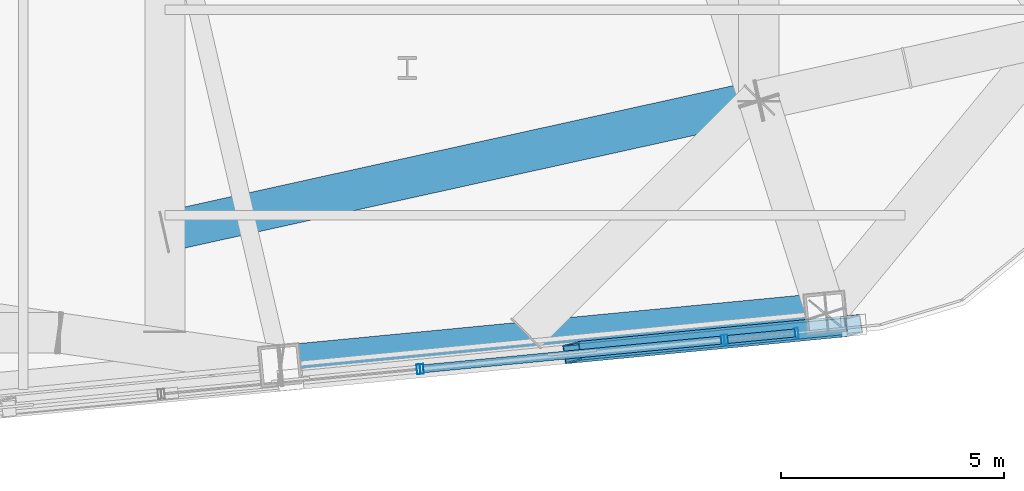
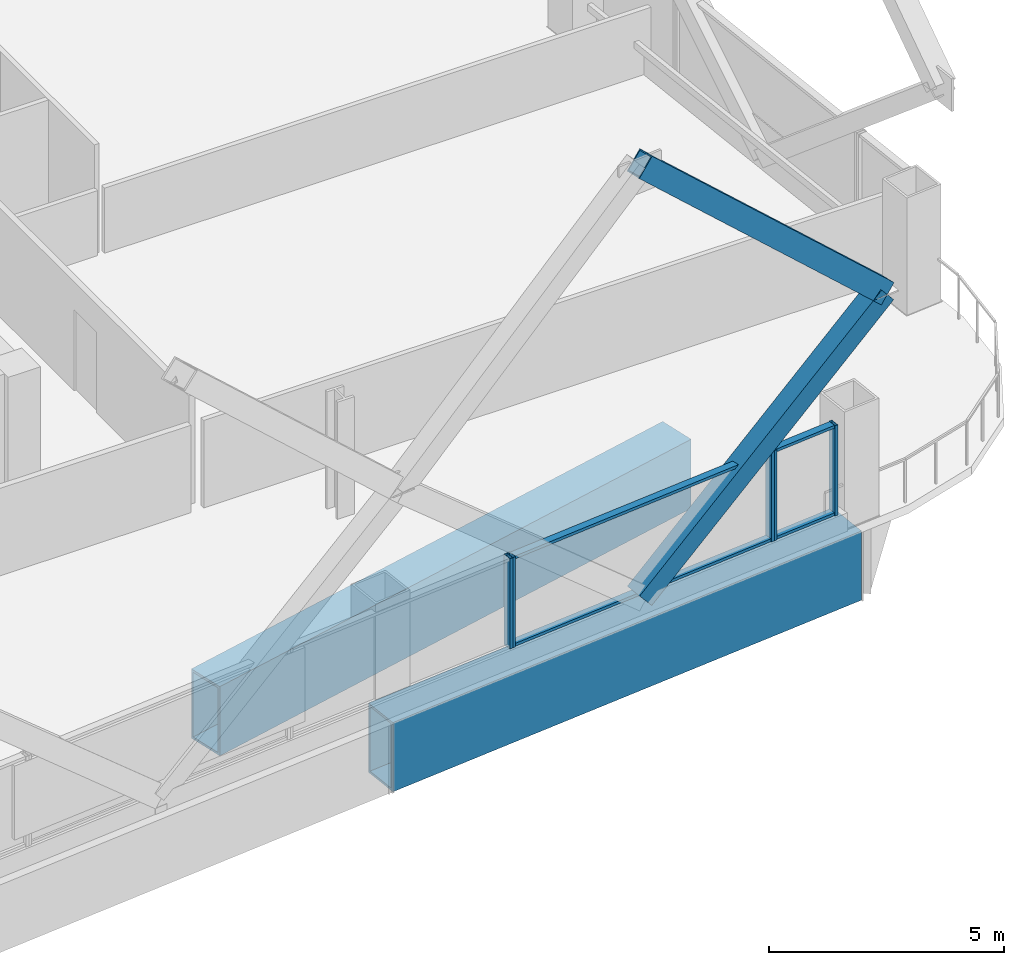
# One storey, part 16 of 42: 11 members, 2 beams, 3 elements without a shape of their own.
"""IFC4 building model written with IfcOpenShell, lengths in metres."""

from ifc_helpers import new_model, si_unit, direction, frame, origin, origin_2d, place, context, subcontext, project, spatial, hollow_rectangle, extrude, material, layer, layer_set, material_profile, profile_set, type_object, element, aggregate, save


model = new_model("IFC4")

# Units and contexts
model_context = context("Model", 3, precision=1e-05, world=origin(), true_north=direction((0.0, 1.0)))
body_context = subcontext(model_context, "Body", "Model", "MODEL_VIEW")
ifc_project = project(units=[si_unit("LENGTHUNIT", "METRE"), si_unit("AREAUNIT", "SQUARE_METRE"), si_unit("VOLUMEUNIT", "CUBIC_METRE"), si_unit("PLANEANGLEUNIT", "RADIAN"), si_unit("MASSUNIT", "GRAM", prefix="KILO")], contexts=[model_context])

# Site, building, storey
site_placement = place(None, origin())
site = spatial("IfcSite", under=ifc_project, at=site_placement, CompositionType="ELEMENT")
building_placement = place(site_placement, origin())
building = spatial("IfcBuilding", under=site, at=building_placement, Name="Qhalaya Broadcast Tower", CompositionType="ELEMENT")
storey_placement = place(building_placement, frame((0.0, 0.0, 69.449951171875)))
storey = spatial("IfcBuildingStorey", under=building, at=storey_placement, Name="L19", CompositionType="ELEMENT", Elevation=69.449951171875)

# Beams
ifc_material_1 = material(Name="Structural Steel ASTM A572 Grade 50", Category="steel")
ifc_material_profile_1 = material_profile(ifc_material_1, hollow_rectangle(XDim=0.89990234375, YDim=1.800048828125, WallThickness=0.06005859375, at=origin_2d()), Name="BOX 900x1800x60")
ifc_profile_set_1 = profile_set([ifc_material_profile_1], Name="Structural Steel ASTM A572 Grade 50")
beam_type = type_object("IfcBeamType", Name="Block Cantilever Transfer Box Girder TG1", PredefinedType="USERDEFINED", material=ifc_profile_set_1)
beam_1_placement = place(storey_placement, frame((11.955078125, -19.861083984375, -1.119873046875), z_axis=(0.995397535354, 0.095831866369, 0.0), x_axis=(-0.095831866369, 0.995397535354, 0.0)))
element("IfcBeam", 1, at=beam_1_placement, inside=storey, type_object=beam_type, Name="L19 TG1 L19-SPR-03", ObjectType="GIRDER", PredefinedType="USERDEFINED", context=body_context, shape_type="SweptSolid", body=[
    extrude(hollow_rectangle(XDim=0.89990234375, YDim=1.800048828125, WallThickness=0.06005859375, at=origin_2d()), origin(), (0.0, 0.0, 1.0), 12.2666015625),
])
beam_2_placement = place(storey_placement, frame((9.375, -16.8701171875, -1.119873046875), z_axis=(0.976408042301, 0.215933635475, 0.0), x_axis=(-0.215933635475, 0.976408042301, 0.0)))
element("IfcBeam", 2, at=beam_2_placement, inside=storey, type_object=beam_type, Name="L19 Collinear Back-Span Transfer Box Girder 05", ObjectType="GIRDER", PredefinedType="USERDEFINED", context=body_context, shape_type="SweptSolid", body=[
    extrude(hollow_rectangle(XDim=0.89990234375, YDim=1.800048828125, WallThickness=0.06005859375, at=origin_2d()), origin(), (0.0, 0.0, 1.0), 13.6162109375),
])

# Members
ifc_material_profile_2 = material_profile(ifc_material_1, hollow_rectangle(XDim=0.419921875, YDim=0.550048828125, WallThickness=0.028076171875, at=origin_2d()), Name="BOX 420x550x28")
ifc_profile_set_2 = profile_set([ifc_material_profile_2], Name="Structural Steel ASTM A572 Grade 50")
member_type_1 = type_object("IfcMemberType", Name="Exoskeleton Diamond Diagonal Mid-Low EX2", PredefinedType="BRACE", material=ifc_profile_set_2)
member_1_placement = place(storey_placement, frame((18.49072265625, -19.573486328125, 0.360107421875), z_axis=(0.758635580976, 0.073066636585, 0.647405067864), x_axis=(-0.157193441444, 0.984862499798, 0.073048466507)))
element("IfcMember", 3, at=member_1_placement, inside=storey, type_object=member_type_1, Name="B2 Exoskeleton Diamond Brace S3-D2", PredefinedType="BRACE", context=body_context, shape_type="SweptSolid", body=[
    extrude(hollow_rectangle(XDim=0.419921875, YDim=0.550048828125, WallThickness=0.028076171875, at=origin_2d()), origin(), (0.0, 0.0, 1.0), 8.309814453125),
])
member_2_placement = place(storey_placement, frame((24.794921875, -18.96630859375, 5.739990234375), z_axis=(-0.730618100613, -0.070368182799, 0.6791505797), x_axis=(0.160222099068, -0.984570800026, 0.070350683768)))
element("IfcMember", 4, at=member_2_placement, inside=storey, type_object=member_type_1, Name="B2 Exoskeleton Diamond Brace S3-D4", PredefinedType="BRACE", context=body_context, shape_type="SweptSolid", body=[
    extrude(hollow_rectangle(XDim=0.419921875, YDim=0.550048828125, WallThickness=0.028076171875, at=origin_2d()), origin(), (0.0, 0.0, 1.0), 8.628662109375),
])

# Curtain wall, member
ifc_material_2 = material(Name="Solar-Control Low-E Triple Glazing", Category="glass")
ifc_layer_1 = layer(ifc_material_2, 0.219970703125, Name="Solar-Control Low-E Triple Glazing")
ifc_layer_set_1 = layer_set([ifc_layer_1], Name="Solar-Control Low-E Triple Glazing")
curtain_wall_type_1 = type_object("IfcCurtainWallType", Name="Even-Block 4-Storey Double-Module Curtain Wall CW-03", PredefinedType="NOTDEFINED", material=ifc_layer_set_1)
curtain_wall_1_placement = place(storey_placement, origin())
curtain_wall_1 = element("IfcCurtainWall", 5, at=curtain_wall_1_placement, inside=storey, type_object=curtain_wall_type_1, Name="L19 Unitised Curtain Wall L19-CW-S5", PredefinedType="NOTDEFINED")
ifc_material_3 = material(Name="Anodised Aluminium 6063-T6", Category="aluminium")
ifc_material_profile_3 = material_profile(ifc_material_3, hollow_rectangle(XDim=0.074951171875, YDim=0.219970703125, WallThickness=0.00390625, at=origin_2d()), Name="ALU-MUL 75x220x4")
ifc_profile_set_3 = profile_set([ifc_material_profile_3], Name="Anodised Aluminium 6063-T6")
member_type_2 = type_object("IfcMemberType", Name="Unitised Curtain-Wall Mullion M01", PredefinedType="MULLION", material=ifc_profile_set_3)
member_3_placement = place(storey_placement, frame((15.05126953125, -19.94482421875, 0.47998046875), z_axis=(0.0, 0.0, 1.0), x_axis=(0.995396371729, 0.095843952075, 0.0)))
member_3 = element("IfcMember", 6, at=member_3_placement, type_object=member_type_2, Name="CW-03 mullion 2", PredefinedType="MULLION", context=body_context, shape_type="SweptSolid", body=[
    extrude(hollow_rectangle(XDim=0.074951171875, YDim=0.219970703125, WallThickness=0.00390625, at=origin_2d()), origin(), (0.0, 0.0, 1.0), 2.35009765625),
])
aggregate(curtain_wall_1, [member_3])

# Curtain wall, members
ifc_material_4 = material(Name="Fired Architectural Terracotta", Category="masonry")
ifc_layer_2 = layer(ifc_material_4, 0.219970703125, Name="Fired Architectural Terracotta")
ifc_layer_set_2 = layer_set([ifc_layer_2], Name="Fired Architectural Terracotta")
curtain_wall_type_2 = type_object("IfcCurtainWallType", Name="Block-Cap Unitised Terracotta Spandrel Wall CW-07", PredefinedType="NOTDEFINED", material=ifc_layer_set_2)
curtain_wall_2_placement = place(storey_placement, origin())
curtain_wall_2 = element("IfcCurtainWall", 7, at=curtain_wall_2_placement, inside=storey, type_object=curtain_wall_type_2, Name="L19 Unitised Curtain Wall L19-CW-S6", PredefinedType="NOTDEFINED")
member_4_placement = place(storey_placement, frame((15.1259765625, -19.9375, 0.47998046875), z_axis=(0.0, 0.0, 1.0), x_axis=(0.995395819861, 0.095849683373, 0.0)))
member_4 = element("IfcMember", 8, at=member_4_placement, type_object=member_type_2, Name="CW-07 mullion 1", PredefinedType="MULLION", context=body_context, shape_type="SweptSolid", body=[
    extrude(hollow_rectangle(XDim=0.074951171875, YDim=0.219970703125, WallThickness=0.00390625, at=origin_2d()), origin(), (0.0, 0.0, 1.0), 2.35009765625),
])
member_5_placement = place(storey_placement, frame((21.86279296875, -19.288818359375, 0.47998046875), z_axis=(0.0, 0.0, 1.0), x_axis=(0.995395819861, 0.095849683373, 0.0)))
member_5 = element("IfcMember", 9, at=member_5_placement, type_object=member_type_2, Name="CW-07 mullion 2", PredefinedType="MULLION", context=body_context, shape_type="SweptSolid", body=[
    extrude(hollow_rectangle(XDim=0.074951171875, YDim=0.219970703125, WallThickness=0.00390625, at=origin_2d()), origin(), (0.0, 0.0, 1.0), 2.35009765625),
])

curtain_wall_3_placement = place(storey_placement, origin())
curtain_wall_3 = element("IfcCurtainWall", 10, at=curtain_wall_3_placement, inside=storey, type_object=curtain_wall_type_1, Name="L19 Unitised Curtain Wall L19-CW-S7", PredefinedType="NOTDEFINED")
member_6_placement = place(storey_placement, frame((21.9375, -19.28173828125, 0.47998046875), z_axis=(0.0, 0.0, 1.0), x_axis=(0.995396232884, 0.095845394047, 0.0)))
member_6 = element("IfcMember", 11, at=member_6_placement, type_object=member_type_2, Name="CW-03 mullion 1", PredefinedType="MULLION", context=body_context, shape_type="SweptSolid", body=[
    extrude(hollow_rectangle(XDim=0.074951171875, YDim=0.219970703125, WallThickness=0.00390625, at=origin_2d()), origin(), (0.0, 0.0, 1.0), 2.35009765625),
])
member_7_placement = place(storey_placement, frame((23.517333984375, -19.129638671875, 0.47998046875), z_axis=(0.0, 0.0, 1.0), x_axis=(0.995396232884, 0.095845394047, 0.0)))
member_7 = element("IfcMember", 12, at=member_7_placement, type_object=member_type_2, Name="CW-03 mullion 2", PredefinedType="MULLION", context=body_context, shape_type="SweptSolid", body=[
    extrude(hollow_rectangle(XDim=0.074951171875, YDim=0.219970703125, WallThickness=0.00390625, at=origin_2d()), origin(), (0.0, 0.0, 1.0), 2.35009765625),
])

# Member
ifc_material_profile_4 = material_profile(ifc_material_3, hollow_rectangle(XDim=0.074951171875, YDim=0.179931640625, WallThickness=0.00390625, at=origin_2d()), Name="ALU-TRN 75x180x4")
ifc_profile_set_4 = profile_set([ifc_material_profile_4], Name="Anodised Aluminium 6063-T6")
member_type_3 = type_object("IfcMemberType", Name="Unitised Curtain-Wall Transom T01", PredefinedType="USERDEFINED", material=ifc_profile_set_4)
member_8_placement = place(storey_placement, frame((15.163330078125, -19.93408203125, 0.517578125), z_axis=(0.995394581881, 0.095862538888, 0.0), x_axis=(0.0, 0.0, 1.0)))
member_8 = element("IfcMember", 13, at=member_8_placement, type_object=member_type_3, Name="CW-07 transom 1.1", ObjectType="TRANSOM", PredefinedType="USERDEFINED", context=body_context, shape_type="SweptSolid", body=[
    extrude(hollow_rectangle(XDim=0.074951171875, YDim=0.179931640625, WallThickness=0.00390625, at=origin_2d()), origin(), (0.0, 0.0, 1.0), 6.69287109375),
])

member_9_placement = place(storey_placement, frame((15.163330078125, -19.93408203125, 2.79248046875), z_axis=(0.995394581881, 0.095862538888, 0.0), x_axis=(0.0, 0.0, 1.0)))
member_9 = element("IfcMember", 14, at=member_9_placement, type_object=member_type_3, Name="CW-07 transom 1.2", ObjectType="TRANSOM", PredefinedType="USERDEFINED", context=body_context, shape_type="SweptSolid", body=[
    extrude(hollow_rectangle(XDim=0.074951171875, YDim=0.179931640625, WallThickness=0.00390625, at=origin_2d()), origin(), (0.0, 0.0, 1.0), 6.69287109375),
])

aggregate(curtain_wall_2, [member_4, member_5, member_8, member_9])

member_10_placement = place(storey_placement, frame((21.974853515625, -19.278076171875, 0.517578125), z_axis=(0.99540577446, 0.095746248865, 0.0), x_axis=(0.0, 0.0, 1.0)))
member_10 = element("IfcMember", 15, at=member_10_placement, type_object=member_type_3, Name="CW-03 transom 1.1", ObjectType="TRANSOM", PredefinedType="USERDEFINED", context=body_context, shape_type="SweptSolid", body=[
    extrude(hollow_rectangle(XDim=0.074951171875, YDim=0.179931640625, WallThickness=0.00390625, at=origin_2d()), origin(), (0.0, 0.0, 1.0), 1.511962890625),
])

member_11_placement = place(storey_placement, frame((21.974853515625, -19.278076171875, 2.79248046875), z_axis=(0.99540577446, 0.095746248865, 0.0), x_axis=(0.0, 0.0, 1.0)))
member_11 = element("IfcMember", 16, at=member_11_placement, type_object=member_type_3, Name="CW-03 transom 1.2", ObjectType="TRANSOM", PredefinedType="USERDEFINED", context=body_context, shape_type="SweptSolid", body=[
    extrude(hollow_rectangle(XDim=0.074951171875, YDim=0.179931640625, WallThickness=0.00390625, at=origin_2d()), origin(), (0.0, 0.0, 1.0), 1.511962890625),
])

aggregate(curtain_wall_3, [member_6, member_7, member_10, member_11])

save(model, "model.ifc")
